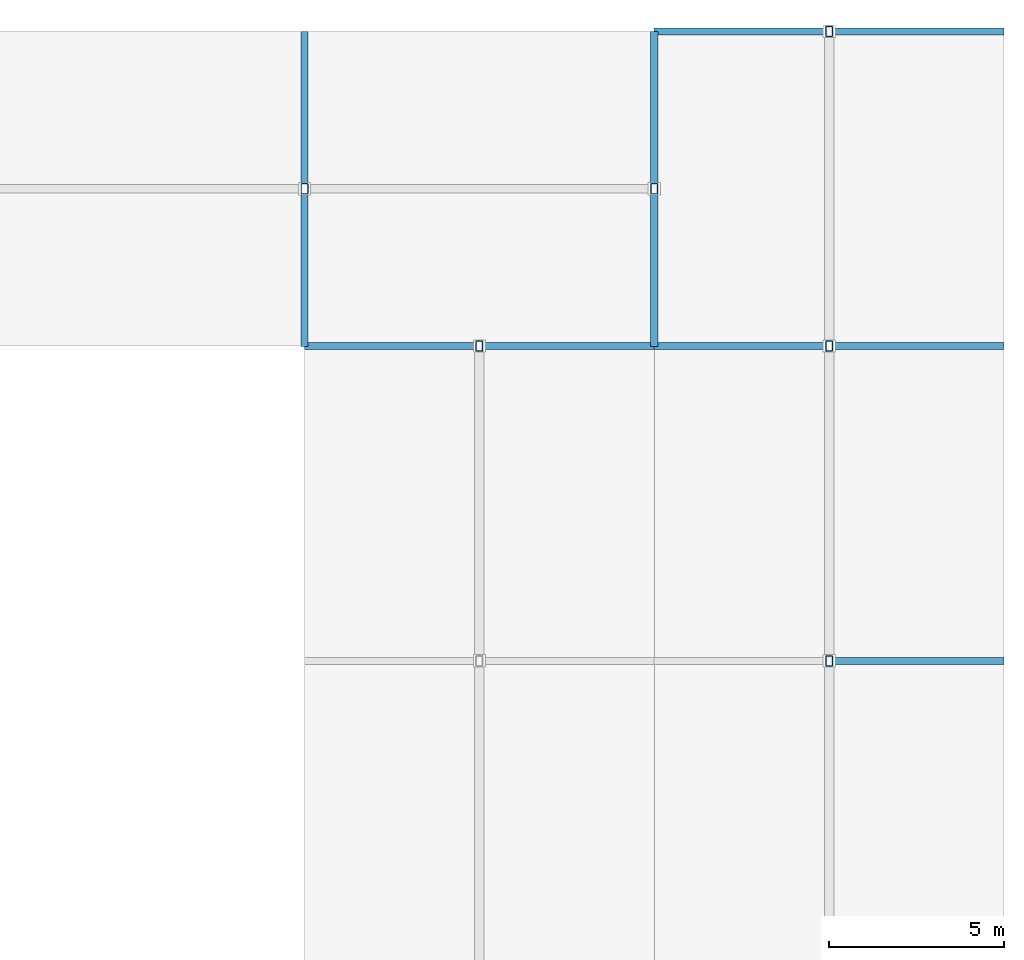
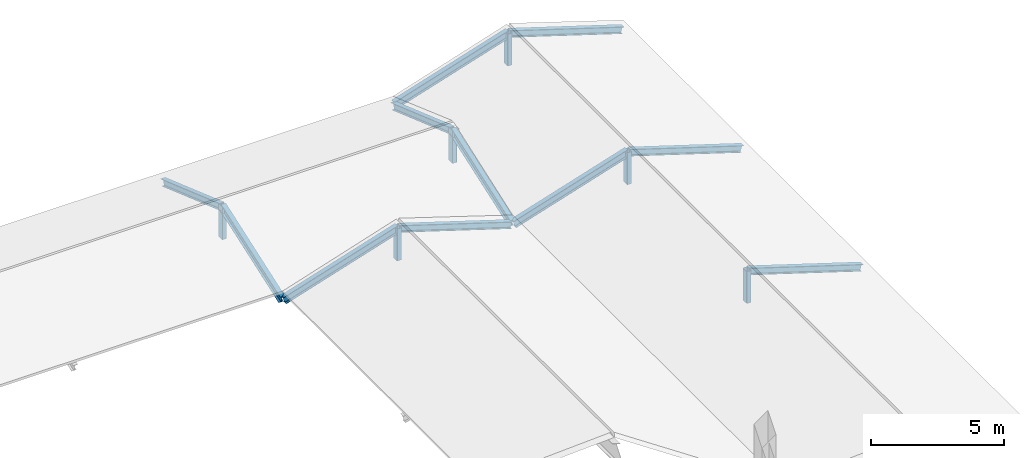
# One storey, part 78 of 110: 17 members.
"""IFC4 building model written with IfcOpenShell, lengths in metres."""

from ifc_helpers import new_model, si_unit, direction, frame, origin, origin_2d, place, context, subcontext, project, spatial, hollow_rectangle, i_section, extrude, material, material_profile, profile_set, type_object, element, save


model = new_model("IFC4")

# Units and contexts
model_context = context("Model", 3, precision=1e-05, world=origin(), true_north=direction((0.0, 1.0)))
body_context = subcontext(model_context, "Body", "Model", "MODEL_VIEW")
ifc_project = project(units=[si_unit("LENGTHUNIT", "METRE"), si_unit("AREAUNIT", "SQUARE_METRE"), si_unit("VOLUMEUNIT", "CUBIC_METRE"), si_unit("PLANEANGLEUNIT", "RADIAN"), si_unit("MASSUNIT", "GRAM", prefix="KILO")], contexts=[model_context])

# Site, building, storey
site_placement = place(None, origin())
site = spatial("IfcSite", under=ifc_project, at=site_placement, CompositionType="ELEMENT")
building_placement = place(site_placement, origin())
building = spatial("IfcBuilding", under=site, at=building_placement, Name="Miravela Opera House", CompositionType="ELEMENT")
storey_placement = place(building_placement, frame((0.0, 0.0, 13.60009765625)))
storey = spatial("IfcBuildingStorey", under=building, at=storey_placement, Name="L03", CompositionType="ELEMENT", Elevation=13.60009765625)

# Members
ifc_material_1 = material(Name="Hollow structural steel ASTM A500 Gr. C", Category="steel")
ifc_material_profile_1 = material_profile(ifc_material_1, hollow_rectangle(XDim=0.199951171875, YDim=0.300048828125, WallThickness=0.011962890625, InnerFilletRadius=0.011962890625, OuterFilletRadius=0.02392578125, at=origin_2d()), Name="HSS300X200X12")
ifc_profile_set_1 = profile_set([ifc_material_profile_1])
member_type_1 = type_object("IfcMemberType", Name="STR-MEM-POST-HSS300X200", PredefinedType="POST", material=ifc_profile_set_1)
for number, where, z_axis, x_axis, name in (
    (1, (159.0, 94.0, -0.25), (0.0, 0.0, 1.0), (1.0, 0.0, 0.0), "Roof Ridge Support Post ROOF-V3-FAR-E M2"),
    (2, (159.0, 103.0, -0.25), (0.0, 0.0, 1.0), (1.0, 0.0, 0.0), "Roof Ridge Support Post ROOF-V3-FAR-E M3"),
    (3, (159.0, 112.0, -0.25), (0.0, 0.0, 1.0), (1.0, 0.0, 0.0), "Roof Gable King Post ROOF-V3-FAR-E N"),
    (4, (149.0, 103.0, -0.25), (0.0, 0.0, 1.0), (1.0, 0.0, 0.0), "Roof Gable King Post ROOF-V3-EAST-M N"),
):
    element("IfcMember", number, at=place(storey_placement, frame(where, z_axis=z_axis, x_axis=x_axis)), inside=storey, type_object=member_type_1, Name=name, PredefinedType="POST", context=body_context, shape_type="SweptSolid", body=[
        extrude(hollow_rectangle(XDim=0.199951171875, YDim=0.300048828125, WallThickness=0.011962890625, InnerFilletRadius=0.011962890625, OuterFilletRadius=0.02392578125, at=origin_2d()), origin(), (0.0, 0.0, 1.0), 1.469970703125),
    ])
for number, where, z_axis, x_axis, name in (
    (5, (144.0, 107.5, -0.25), (0.0, 0.0, 1.0), (1.0, 0.0, 0.0), "Roof Ridge Support Post ROOF-V3-NE M3"),
    (6, (154.0, 107.5, -0.25), (0.0, 0.0, 1.0), (1.0, 0.0, 0.0), "Roof Gable King Post ROOF-V3-NE E"),
):
    element("IfcMember", number, at=place(storey_placement, frame(where, z_axis=z_axis, x_axis=x_axis)), inside=storey, type_object=member_type_1, Name=name, PredefinedType="POST", context=body_context, shape_type="SweptSolid", body=[
        extrude(hollow_rectangle(XDim=0.199951171875, YDim=0.300048828125, WallThickness=0.011962890625, InnerFilletRadius=0.011962890625, OuterFilletRadius=0.02392578125, at=origin_2d()), origin(), (0.0, 0.0, 1.0), 1.510009765625),
    ])
ifc_material_2 = material(Name="Structural steel ASTM A992 Gr. 50", Category="steel")
ifc_material_profile_2 = material_profile(ifc_material_2, i_section(OverallWidth=0.2041015625, OverallDepth=0.35009765625, WebThickness=0.008544921875, FlangeThickness=0.01513671875, FilletRadius=0.013916015625, at=origin_2d()), Name="W360X72")
ifc_profile_set_2 = profile_set([ifc_material_profile_2])
member_type_2 = type_object("IfcMemberType", Name="STR-MEM-RAFTER-1", PredefinedType="RAFTER", material=ifc_profile_set_2)
for number, where, z_axis, x_axis, name in (
    (7, (154.050048828125, 103.0, -0.400146484375), (0.953753138801, 0.0, 0.300591001575), (0.0, 1.0, 0.0), "Pitched Roof Rafter ROOF-V3-FAR-E W3"),
    (8, (154.050048828125, 112.0, -0.400146484375), (0.953753138801, 0.0, 0.300591001575), (0.0, 1.0, 0.0), "Pitched Roof Rafter ROOF-V3-FAR-E W4"),
    (9, (144.050048828125, 103.0, -0.400146484375), (0.953753138801, 0.0, 0.300591001575), (0.0, 1.0, 0.0), "Pitched Roof Rafter ROOF-V3-EAST-M W2"),
):
    element("IfcMember", number, at=place(storey_placement, frame(where, z_axis=z_axis, x_axis=x_axis)), inside=storey, type_object=member_type_2, Name=name, PredefinedType="RAFTER", context=body_context, shape_type="SweptSolid", body=[
        extrude(i_section(OverallWidth=0.2041015625, OverallDepth=0.35009765625, WebThickness=0.008544921875, FlangeThickness=0.01513671875, FilletRadius=0.013916015625, at=origin_2d()), origin(), (0.0, 0.0, 1.0), 5.18994140625),
    ])
for number, where, z_axis, x_axis, name in (
    (10, (144.0, 103.050048828125, -0.400146484375), (0.0, 0.943687918104, 0.3308369889), (-1.0, 0.0, 0.0), "Pitched Roof Rafter ROOF-V3-NE S3"),
    (11, (154.0, 103.050048828125, -0.400146484375), (0.0, 0.943687918104, 0.3308369889), (-1.0, 0.0, 0.0), "Pitched Roof Rafter ROOF-V3-NE S4"),
):
    element("IfcMember", number, at=place(storey_placement, frame(where, z_axis=z_axis, x_axis=x_axis)), inside=storey, type_object=member_type_2, Name=name, PredefinedType="RAFTER", context=body_context, shape_type="SweptSolid", body=[
        extrude(i_section(OverallWidth=0.2041015625, OverallDepth=0.35009765625, WebThickness=0.008544921875, FlangeThickness=0.01513671875, FilletRadius=0.013916015625, at=origin_2d()), origin(), (0.0, 0.0, 1.0), 4.715576171875),
    ])
ifc_material_profile_3 = material_profile(ifc_material_2, i_section(OverallWidth=0.202880859375, OverallDepth=0.302978515625, WebThickness=0.007568359375, FlangeThickness=0.01318359375, FilletRadius=0.012939453125, at=origin_2d()), Name="W310X60")
ifc_profile_set_3 = profile_set([ifc_material_profile_3])
member_type_3 = type_object("IfcMemberType", Name="STR-MEM-RAFTER-2", PredefinedType="RAFTER", material=ifc_profile_set_3)
for number, where, z_axis, x_axis, name in (
    (12, (163.949951171875, 94.0, -0.400146484375), (-0.953753138801, 0.0, 0.300591001575), (0.0, -1.0, 0.0), "Pitched Roof Rafter ROOF-V3-FAR-E E2"),
    (13, (163.949951171875, 103.0, -0.400146484375), (-0.953753138801, 0.0, 0.300591001575), (0.0, -1.0, 0.0), "Pitched Roof Rafter ROOF-V3-FAR-E E3"),
    (14, (163.949951171875, 112.0, -0.400146484375), (-0.953753138801, 0.0, 0.300591001575), (0.0, -1.0, 0.0), "Pitched Roof Rafter ROOF-V3-FAR-E E4"),
    (15, (153.949951171875, 103.0, -0.400146484375), (-0.953753138801, 0.0, 0.300591001575), (0.0, -1.0, 0.0), "Pitched Roof Rafter ROOF-V3-EAST-M E2"),
):
    element("IfcMember", number, at=place(storey_placement, frame(where, z_axis=z_axis, x_axis=x_axis)), inside=storey, type_object=member_type_3, Name=name, PredefinedType="RAFTER", context=body_context, shape_type="SweptSolid", body=[
        extrude(i_section(OverallWidth=0.202880859375, OverallDepth=0.302978515625, WebThickness=0.007568359375, FlangeThickness=0.01318359375, FilletRadius=0.012939453125, at=origin_2d()), origin(), (0.0, 0.0, 1.0), 5.18994140625),
    ])
for number, where, z_axis, x_axis, name in (
    (16, (144.0, 111.949951171875, -0.400146484375), (0.0, -0.943687918104, 0.3308369889), (1.0, 0.0, 0.0), "Pitched Roof Rafter ROOF-V3-NE N3"),
    (17, (154.0, 111.949951171875, -0.400146484375), (0.0, -0.943687918104, 0.3308369889), (1.0, 0.0, 0.0), "Pitched Roof Rafter ROOF-V3-NE N4"),
):
    element("IfcMember", number, at=place(storey_placement, frame(where, z_axis=z_axis, x_axis=x_axis)), inside=storey, type_object=member_type_3, Name=name, PredefinedType="RAFTER", context=body_context, shape_type="SweptSolid", body=[
        extrude(i_section(OverallWidth=0.202880859375, OverallDepth=0.302978515625, WebThickness=0.007568359375, FlangeThickness=0.01318359375, FilletRadius=0.012939453125, at=origin_2d()), origin(), (0.0, 0.0, 1.0), 4.715576171875),
    ])

save(model, "model.ifc")
